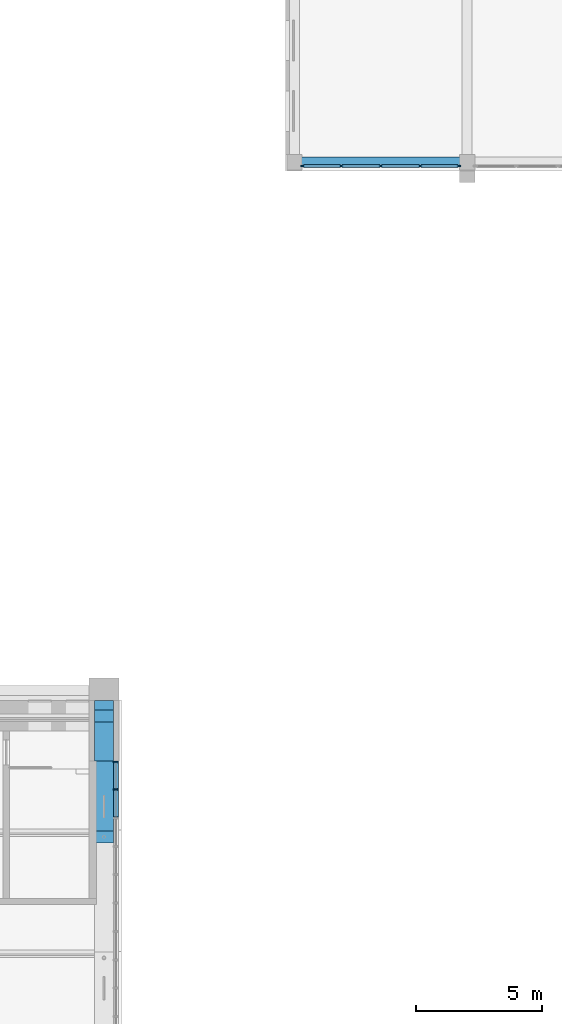
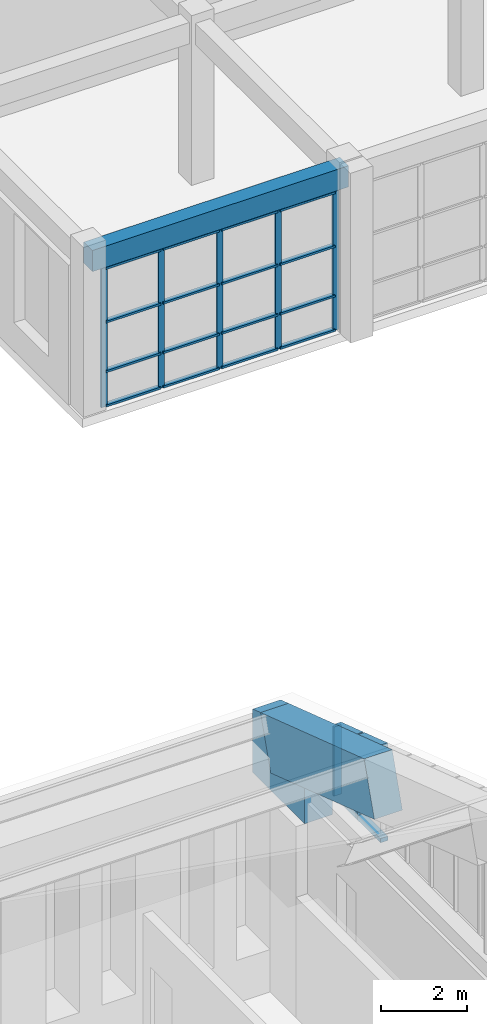
# One storey, part 102 of 149: 28 members, 2 beams, 2 elements without a shape of their own.
"""IFC4 building model written with IfcOpenShell, lengths in metres."""

from ifc_helpers import new_model, si_unit, direction, frame, origin, origin_2d, place, context, subcontext, project, spatial, polyline, rectangle, outline, extrude, material, material_profile, profile_set, type_object, element, aggregate, save


model = new_model("IFC4")

# Units and contexts
model_context = context("Model", 3, precision=1e-05, world=origin(), true_north=direction((0.0, 1.0)))
body_context = subcontext(model_context, "Body", "Model", "MODEL_VIEW")
ifc_project = project(units=[si_unit("LENGTHUNIT", "METRE"), si_unit("AREAUNIT", "SQUARE_METRE"), si_unit("VOLUMEUNIT", "CUBIC_METRE"), si_unit("PLANEANGLEUNIT", "RADIAN"), si_unit("MASSUNIT", "GRAM", prefix="KILO")], contexts=[model_context])

# Site, building, storey
site_placement = place(None, origin())
site = spatial("IfcSite", under=ifc_project, at=site_placement, CompositionType="ELEMENT")
building_placement = place(site_placement, origin())
building = spatial("IfcBuilding", under=site, at=building_placement, Name="Alderwick Market Hall", CompositionType="ELEMENT")
storey_placement = place(building_placement, frame((0.0, 0.0, 9.60009765625)))
storey = spatial("IfcBuildingStorey", under=building, at=storey_placement, Name="L01", CompositionType="ELEMENT", Elevation=9.60009765625)

# Curtain wall, members
ifc_material_1 = material(Name="F Curtain Wall 1800 module")
curtain_wall_type_1 = type_object("IfcCurtainWallType", Name="F Curtain Wall 1800 module", PredefinedType="NOTDEFINED", material=ifc_material_1)
curtain_wall_1_placement = place(storey_placement, origin())
curtain_wall_1 = element("IfcCurtainWall", 1, at=curtain_wall_1_placement, inside=storey, type_object=curtain_wall_type_1, Name="F.cw.L01.01", PredefinedType="NOTDEFINED")
ifc_material_2 = material(Name="Aluminium alloy 6063-T6", Category="aluminium")
ifc_material_profile_1 = material_profile(ifc_material_2, rectangle(XDim=0.06005859375, YDim=0.159912109375, at=origin_2d()), Name="AL 60x160")
ifc_profile_set_1 = profile_set([ifc_material_profile_1], Name="Aluminium alloy 6063-T6")
member_type_1 = type_object("IfcMemberType", Name="F Curtain Wall Mullion 60x160", PredefinedType="MULLION", material=ifc_profile_set_1)
member_1_placement = place(storey_placement, frame((165.27001953125, 129.800048828125, 0.0), z_axis=(0.0, 0.0, 1.0), x_axis=(0.0, -1.0, 0.0)))
member_1 = element("IfcMember", 2, at=member_1_placement, type_object=member_type_1, Name="F-CW mullion 1", PredefinedType="MULLION", context=body_context, shape_type="SweptSolid", body=[
    extrude(rectangle(XDim=0.06005859375, YDim=0.159912109375, at=origin_2d()), origin(), (0.0, 0.0, 1.0), 3.949951171875),
])
member_2_placement = place(storey_placement, frame((163.737548828125, 129.800048828125, 0.0), z_axis=(0.0, 0.0, 1.0), x_axis=(0.0, -1.0, 0.0)))
member_2 = element("IfcMember", 3, at=member_2_placement, type_object=member_type_1, Name="F-CW mullion 2", PredefinedType="MULLION", context=body_context, shape_type="SweptSolid", body=[
    extrude(rectangle(XDim=0.06005859375, YDim=0.159912109375, at=origin_2d()), origin(), (0.0, 0.0, 1.0), 3.949951171875),
])
member_3_placement = place(storey_placement, frame((162.175048828125, 129.800048828125, 0.0), z_axis=(0.0, 0.0, 1.0), x_axis=(0.0, -1.0, 0.0)))
member_3 = element("IfcMember", 4, at=member_3_placement, type_object=member_type_1, Name="F-CW mullion 3", PredefinedType="MULLION", context=body_context, shape_type="SweptSolid", body=[
    extrude(rectangle(XDim=0.06005859375, YDim=0.159912109375, at=origin_2d()), origin(), (0.0, 0.0, 1.0), 3.949951171875),
])
member_4_placement = place(storey_placement, frame((160.612548828125, 129.800048828125, 0.0), z_axis=(0.0, 0.0, 1.0), x_axis=(0.0, -1.0, 0.0)))
member_4 = element("IfcMember", 5, at=member_4_placement, type_object=member_type_1, Name="F-CW mullion 4", PredefinedType="MULLION", context=body_context, shape_type="SweptSolid", body=[
    extrude(rectangle(XDim=0.06005859375, YDim=0.159912109375, at=origin_2d()), origin(), (0.0, 0.0, 1.0), 3.949951171875),
])
member_5_placement = place(storey_placement, frame((159.080078125, 129.800048828125, 0.0), z_axis=(0.0, 0.0, 1.0), x_axis=(0.0, -1.0, 0.0)))
member_5 = element("IfcMember", 6, at=member_5_placement, type_object=member_type_1, Name="F-CW mullion 5", PredefinedType="MULLION", context=body_context, shape_type="SweptSolid", body=[
    extrude(rectangle(XDim=0.06005859375, YDim=0.159912109375, at=origin_2d()), origin(), (0.0, 0.0, 1.0), 3.949951171875),
])
ifc_material_profile_2 = material_profile(ifc_material_2, rectangle(XDim=0.1201171875, YDim=0.06005859375, at=origin_2d()), Name="AL 60x120")
ifc_profile_set_2 = profile_set([ifc_material_profile_2], Name="Aluminium alloy 6063-T6")
member_type_2 = type_object("IfcMemberType", Name="F Curtain Wall Transom 60x120", PredefinedType="USERDEFINED", material=ifc_profile_set_2)
member_6_placement = place(storey_placement, frame((165.239990234375, 129.800048828125, 0.02978515625), z_axis=(-1.0, 0.0, 0.0), x_axis=(0.0, -1.0, 0.0)))
member_6 = element("IfcMember", 7, at=member_6_placement, type_object=member_type_2, Name="F-CW transom 1.1", ObjectType="TRANSOM", PredefinedType="USERDEFINED", context=body_context, shape_type="SweptSolid", body=[
    extrude(rectangle(XDim=0.1201171875, YDim=0.06005859375, at=origin_2d()), origin(), (0.0, 0.0, 1.0), 1.472412109375),
])
member_7_placement = place(storey_placement, frame((165.239990234375, 129.800048828125, 1.0), z_axis=(-1.0, 0.0, 0.0), x_axis=(0.0, -1.0, 0.0)))
member_7 = element("IfcMember", 8, at=member_7_placement, type_object=member_type_2, Name="F-CW transom 1.2", ObjectType="TRANSOM", PredefinedType="USERDEFINED", context=body_context, shape_type="SweptSolid", body=[
    extrude(rectangle(XDim=0.1201171875, YDim=0.06005859375, at=origin_2d()), origin(), (0.0, 0.0, 1.0), 1.472412109375),
])
member_8_placement = place(storey_placement, frame((165.239990234375, 129.800048828125, 2.39990234375), z_axis=(-1.0, 0.0, 0.0), x_axis=(0.0, -1.0, 0.0)))
member_8 = element("IfcMember", 9, at=member_8_placement, type_object=member_type_2, Name="F-CW transom 1.3", ObjectType="TRANSOM", PredefinedType="USERDEFINED", context=body_context, shape_type="SweptSolid", body=[
    extrude(rectangle(XDim=0.1201171875, YDim=0.06005859375, at=origin_2d()), origin(), (0.0, 0.0, 1.0), 1.472412109375),
])
member_9_placement = place(storey_placement, frame((165.239990234375, 129.800048828125, 3.919921875), z_axis=(-1.0, 0.0, 0.0), x_axis=(0.0, -1.0, 0.0)))
member_9 = element("IfcMember", 10, at=member_9_placement, type_object=member_type_2, Name="F-CW transom 1.4", ObjectType="TRANSOM", PredefinedType="USERDEFINED", context=body_context, shape_type="SweptSolid", body=[
    extrude(rectangle(XDim=0.1201171875, YDim=0.06005859375, at=origin_2d()), origin(), (0.0, 0.0, 1.0), 1.472412109375),
])
member_10_placement = place(storey_placement, frame((163.70751953125, 129.800048828125, 0.02978515625), z_axis=(-1.0, 0.0, 0.0), x_axis=(0.0, -1.0, 0.0)))
member_10 = element("IfcMember", 11, at=member_10_placement, type_object=member_type_2, Name="F-CW transom 2.1", ObjectType="TRANSOM", PredefinedType="USERDEFINED", context=body_context, shape_type="SweptSolid", body=[
    extrude(rectangle(XDim=0.1201171875, YDim=0.06005859375, at=origin_2d()), origin(), (0.0, 0.0, 1.0), 1.50244140625),
])
member_11_placement = place(storey_placement, frame((163.70751953125, 129.800048828125, 1.0), z_axis=(-1.0, 0.0, 0.0), x_axis=(0.0, -1.0, 0.0)))
member_11 = element("IfcMember", 12, at=member_11_placement, type_object=member_type_2, Name="F-CW transom 2.2", ObjectType="TRANSOM", PredefinedType="USERDEFINED", context=body_context, shape_type="SweptSolid", body=[
    extrude(rectangle(XDim=0.1201171875, YDim=0.06005859375, at=origin_2d()), origin(), (0.0, 0.0, 1.0), 1.50244140625),
])
member_12_placement = place(storey_placement, frame((163.70751953125, 129.800048828125, 2.39990234375), z_axis=(-1.0, 0.0, 0.0), x_axis=(0.0, -1.0, 0.0)))
member_12 = element("IfcMember", 13, at=member_12_placement, type_object=member_type_2, Name="F-CW transom 2.3", ObjectType="TRANSOM", PredefinedType="USERDEFINED", context=body_context, shape_type="SweptSolid", body=[
    extrude(rectangle(XDim=0.1201171875, YDim=0.06005859375, at=origin_2d()), origin(), (0.0, 0.0, 1.0), 1.50244140625),
])
member_13_placement = place(storey_placement, frame((163.70751953125, 129.800048828125, 3.919921875), z_axis=(-1.0, 0.0, 0.0), x_axis=(0.0, -1.0, 0.0)))
member_13 = element("IfcMember", 14, at=member_13_placement, type_object=member_type_2, Name="F-CW transom 2.4", ObjectType="TRANSOM", PredefinedType="USERDEFINED", context=body_context, shape_type="SweptSolid", body=[
    extrude(rectangle(XDim=0.1201171875, YDim=0.06005859375, at=origin_2d()), origin(), (0.0, 0.0, 1.0), 1.50244140625),
])
member_14_placement = place(storey_placement, frame((162.14501953125, 129.800048828125, 0.02978515625), z_axis=(-1.0, 0.0, 0.0), x_axis=(0.0, -1.0, 0.0)))
member_14 = element("IfcMember", 15, at=member_14_placement, type_object=member_type_2, Name="F-CW transom 3.1", ObjectType="TRANSOM", PredefinedType="USERDEFINED", context=body_context, shape_type="SweptSolid", body=[
    extrude(rectangle(XDim=0.1201171875, YDim=0.06005859375, at=origin_2d()), origin(), (0.0, 0.0, 1.0), 1.50244140625),
])
member_15_placement = place(storey_placement, frame((162.14501953125, 129.800048828125, 1.0), z_axis=(-1.0, 0.0, 0.0), x_axis=(0.0, -1.0, 0.0)))
member_15 = element("IfcMember", 16, at=member_15_placement, type_object=member_type_2, Name="F-CW transom 3.2", ObjectType="TRANSOM", PredefinedType="USERDEFINED", context=body_context, shape_type="SweptSolid", body=[
    extrude(rectangle(XDim=0.1201171875, YDim=0.06005859375, at=origin_2d()), origin(), (0.0, 0.0, 1.0), 1.50244140625),
])
member_16_placement = place(storey_placement, frame((162.14501953125, 129.800048828125, 2.39990234375), z_axis=(-1.0, 0.0, 0.0), x_axis=(0.0, -1.0, 0.0)))
member_16 = element("IfcMember", 17, at=member_16_placement, type_object=member_type_2, Name="F-CW transom 3.3", ObjectType="TRANSOM", PredefinedType="USERDEFINED", context=body_context, shape_type="SweptSolid", body=[
    extrude(rectangle(XDim=0.1201171875, YDim=0.06005859375, at=origin_2d()), origin(), (0.0, 0.0, 1.0), 1.50244140625),
])
member_17_placement = place(storey_placement, frame((162.14501953125, 129.800048828125, 3.919921875), z_axis=(-1.0, 0.0, 0.0), x_axis=(0.0, -1.0, 0.0)))
member_17 = element("IfcMember", 18, at=member_17_placement, type_object=member_type_2, Name="F-CW transom 3.4", ObjectType="TRANSOM", PredefinedType="USERDEFINED", context=body_context, shape_type="SweptSolid", body=[
    extrude(rectangle(XDim=0.1201171875, YDim=0.06005859375, at=origin_2d()), origin(), (0.0, 0.0, 1.0), 1.50244140625),
])
member_18_placement = place(storey_placement, frame((160.58251953125, 129.800048828125, 0.02978515625), z_axis=(-1.0, 0.0, 0.0), x_axis=(0.0, -1.0, 0.0)))
member_18 = element("IfcMember", 19, at=member_18_placement, type_object=member_type_2, Name="F-CW transom 4.1", ObjectType="TRANSOM", PredefinedType="USERDEFINED", context=body_context, shape_type="SweptSolid", body=[
    extrude(rectangle(XDim=0.1201171875, YDim=0.06005859375, at=origin_2d()), origin(), (0.0, 0.0, 1.0), 1.472412109375),
])
member_19_placement = place(storey_placement, frame((160.58251953125, 129.800048828125, 1.0), z_axis=(-1.0, 0.0, 0.0), x_axis=(0.0, -1.0, 0.0)))
member_19 = element("IfcMember", 20, at=member_19_placement, type_object=member_type_2, Name="F-CW transom 4.2", ObjectType="TRANSOM", PredefinedType="USERDEFINED", context=body_context, shape_type="SweptSolid", body=[
    extrude(rectangle(XDim=0.1201171875, YDim=0.06005859375, at=origin_2d()), origin(), (0.0, 0.0, 1.0), 1.472412109375),
])
member_20_placement = place(storey_placement, frame((160.58251953125, 129.800048828125, 2.39990234375), z_axis=(-1.0, 0.0, 0.0), x_axis=(0.0, -1.0, 0.0)))
member_20 = element("IfcMember", 21, at=member_20_placement, type_object=member_type_2, Name="F-CW transom 4.3", ObjectType="TRANSOM", PredefinedType="USERDEFINED", context=body_context, shape_type="SweptSolid", body=[
    extrude(rectangle(XDim=0.1201171875, YDim=0.06005859375, at=origin_2d()), origin(), (0.0, 0.0, 1.0), 1.472412109375),
])
member_21_placement = place(storey_placement, frame((160.58251953125, 129.800048828125, 3.919921875), z_axis=(-1.0, 0.0, 0.0), x_axis=(0.0, -1.0, 0.0)))
member_21 = element("IfcMember", 22, at=member_21_placement, type_object=member_type_2, Name="F-CW transom 4.4", ObjectType="TRANSOM", PredefinedType="USERDEFINED", context=body_context, shape_type="SweptSolid", body=[
    extrude(rectangle(XDim=0.1201171875, YDim=0.06005859375, at=origin_2d()), origin(), (0.0, 0.0, 1.0), 1.472412109375),
])
aggregate(curtain_wall_1, [member_1, member_2, member_3, member_4, member_5, member_6, member_7, member_8, member_9, member_10, member_11, member_12, member_13, member_14, member_15, member_16, member_17, member_18, member_19, member_20, member_21])

# Beams
ifc_material_3 = material(Name="Concrete 5000 psi (f'c 35 MPa)", Category="concrete")
ifc_material_profile_3 = material_profile(ifc_material_3, rectangle(XDim=0.39990234375, YDim=0.60009765625, at=origin_2d()), Name="RC 400x600")
ifc_profile_set_3 = profile_set([ifc_material_profile_3], Name="Concrete 5000 psi (f'c 35 MPa)")
beam_type_1 = type_object("IfcBeamType", Name="F Floor Beam RC 400x600", PredefinedType="BEAM", material=ifc_profile_set_3)
beam_1_placement = place(storey_placement, frame((158.75, 129.949951171875, 4.25), z_axis=(1.0, 0.0, 0.0), x_axis=(0.0, 1.0, 0.0)))
element("IfcBeam", 23, at=beam_1_placement, inside=storey, type_object=beam_type_1, Name="F.beam.L01.001", PredefinedType="BEAM", context=body_context, shape_type="SweptSolid", body=[
    extrude(rectangle(XDim=0.39990234375, YDim=0.60009765625, at=origin_2d()), origin(), (0.0, 0.0, 1.0), 6.85009765625),
])
ifc_material_profile_4 = material_profile(ifc_material_3, rectangle(XDim=0.75, YDim=1.5, at=origin_2d()), Name="RC 750x1500")
ifc_profile_set_4 = profile_set([ifc_material_profile_4], Name="Concrete 5000 psi (f'c 35 MPa)")
beam_type_2 = type_object("IfcBeamType", Name="R Arch Rib Springing 750x1500", PredefinedType="BEAM", material=ifc_profile_set_4)
beam_2_placement = place(storey_placement, frame((151.199951171875, 103.199951171875, 8.199951171875), z_axis=(0.0, 0.948678472761, -0.316242241517), x_axis=(-1.0, 0.0, 0.0)))
element("IfcBeam", 24, at=beam_2_placement, inside=storey, type_object=beam_type_2, Name="Arch rib 8 chord 12", PredefinedType="BEAM", context=body_context, shape_type="SweptSolid", body=[
    extrude(rectangle(XDim=0.75, YDim=1.5, at=origin_2d()), origin(), (0.0, 0.0, 1.0), 5.059814453125),
])

# Curtain wall, members
ifc_material_4 = material(Name="Aluminium", Category="aluminium")
curtain_wall_type_2 = type_object("IfcCurtainWallType", Name="R Curtain Wall Frame", PredefinedType="NOTDEFINED", material=ifc_material_4)
curtain_wall_2_placement = place(storey_placement, origin())
curtain_wall_2 = element("IfcCurtainWall", 25, at=curtain_wall_2_placement, inside=storey, type_object=curtain_wall_type_2, Name="Curtain wall GCW3", PredefinedType="NOTDEFINED")
ifc_material_profile_5 = material_profile(ifc_material_4, rectangle(XDim=0.199951171875, YDim=0.06005859375, at=origin_2d()), Name="AL 60x200")
ifc_profile_set_5 = profile_set([ifc_material_profile_5], Name="Aluminium")
member_type_3 = type_object("IfcMemberType", Name="R CW Mullion 60x200", PredefinedType="MULLION", material=ifc_profile_set_5)
member_22_placement = place(storey_placement, frame((151.675048828125, 105.074951171875, 5.94677734375), z_axis=(0.0, 0.0, 1.0), x_axis=(1.0, 0.0, 0.0)))
member_22 = element("IfcMember", 26, at=member_22_placement, type_object=member_type_3, Name="GCW3 mullion 48", PredefinedType="MULLION", context=body_context, shape_type="SweptSolid", body=[
    extrude(rectangle(XDim=0.199951171875, YDim=0.06005859375, at=origin_2d()), origin(), (0.0, 0.0, 1.0), 2.325439453125),
])
member_23_placement = place(storey_placement, frame((151.675048828125, 106.169921875, 5.94677734375), z_axis=(0.0, 0.0, 1.0), x_axis=(1.0, 0.0, 0.0)))
member_23 = element("IfcMember", 27, at=member_23_placement, type_object=member_type_3, Name="GCW3 mullion 49", PredefinedType="MULLION", context=body_context, shape_type="SweptSolid", body=[
    extrude(rectangle(XDim=0.199951171875, YDim=0.06005859375, at=origin_2d()), origin(), (0.0, 0.0, 1.0), 1.96044921875),
])
ifc_material_profile_6 = material_profile(ifc_material_4, rectangle(XDim=0.199951171875, YDim=0.1201171875, at=origin_2d()), Name="AL 120x200")
ifc_profile_set_6 = profile_set([ifc_material_profile_6], Name="Aluminium")
member_type_4 = type_object("IfcMemberType", Name="R CW Transom 120x200", PredefinedType="USERDEFINED", material=ifc_profile_set_6)
member_24_placement = place(storey_placement, frame((151.675048828125, 103.97998046875, 6.006591796875), z_axis=(0.0, 1.0, 0.0), x_axis=(-1.0, 0.0, 0.0)))
member_24 = element("IfcMember", 28, at=member_24_placement, type_object=member_type_4, Name="GCW3 sill transom 47", ObjectType="TRANSOM", PredefinedType="USERDEFINED", context=body_context, shape_type="SweptSolid", body=[
    extrude(rectangle(XDim=0.199951171875, YDim=0.1201171875, at=origin_2d()), origin(), (0.0, 0.0, 1.0), 1.06494140625),
])
member_25_placement = place(storey_placement, frame((151.675048828125, 103.97998046875, 8.63720703125), z_axis=(0.0, 0.948683298051, -0.316227766017), x_axis=(-1.0, 0.0, 0.0)))
member_25 = element("IfcMember", 29, at=member_25_placement, type_object=member_type_4, Name="GCW3 arch cap 47", ObjectType="TRANSOM", PredefinedType="USERDEFINED", context=body_context, shape_type="SweptSolid", body=[
    extrude(rectangle(XDim=0.199951171875, YDim=0.1201171875, at=origin_2d()), origin(), (0.0, 0.0, 1.0), 1.12255859375),
])
member_26_placement = place(storey_placement, frame((151.675048828125, 105.10498046875, 6.006591796875), z_axis=(0.0, 1.0, 0.0), x_axis=(-1.0, 0.0, 0.0)))
member_26 = element("IfcMember", 30, at=member_26_placement, type_object=member_type_4, Name="GCW3 sill transom 48", ObjectType="TRANSOM", PredefinedType="USERDEFINED", context=body_context, shape_type="SweptSolid", body=[
    extrude(rectangle(XDim=0.199951171875, YDim=0.1201171875, at=origin_2d()), origin(), (0.0, 0.0, 1.0), 1.034912109375),
])
member_27_placement = place(storey_placement, frame((151.675048828125, 105.10498046875, 8.26220703125), z_axis=(0.0, 0.948683298051, -0.316227766017), x_axis=(-1.0, 0.0, 0.0)))
member_27 = element("IfcMember", 31, at=member_27_placement, type_object=member_type_4, Name="GCW3 arch cap 48", ObjectType="TRANSOM", PredefinedType="USERDEFINED", context=body_context, shape_type="SweptSolid", body=[
    extrude(rectangle(XDim=0.199951171875, YDim=0.1201171875, at=origin_2d()), origin(), (0.0, 0.0, 1.0), 1.0908203125),
])
aggregate(curtain_wall_2, [member_22, member_23, member_24, member_25, member_26, member_27])

# Member
ifc_material_profile_7 = material_profile(ifc_material_3, outline(polyline([(0.0, 0.0), (-2.39990234375, 0.0), (-2.39990234375, 1.009521484375), (-0.837158203125, 0.488525390625), (-0.36279296875, 1.91162109375), (0.0, 1.79052734375), (0.0, 0.0)])), Name="RC skewback N")
ifc_profile_set_7 = profile_set([ifc_material_profile_7], Name="Concrete 5000 psi (f'c 35 MPa)")
member_type_5 = type_object("IfcMemberType", Name="R Springing Skewback North", PredefinedType="MEMBER", material=ifc_profile_set_7)
member_28_placement = place(storey_placement, frame((150.824951171875, 108.60009765625, 5.39990234375), z_axis=(1.0, 0.0, 0.0), x_axis=(0.0, 1.0, 0.0)))
element("IfcMember", 32, at=member_28_placement, inside=storey, type_object=member_type_5, Name="Springing skewback N8", PredefinedType="MEMBER", context=body_context, shape_type="SweptSolid", body=[
    extrude(outline(polyline([(0.0, 0.0), (-2.39990234375, 0.0), (-2.39990234375, 1.009521484375), (-0.837158203125, 0.488525390625), (-0.36279296875, 1.91162109375), (0.0, 1.79052734375), (0.0, 0.0)])), origin(), (0.0, 0.0, 1.0), 0.75),
])

save(model, "model.ifc")
